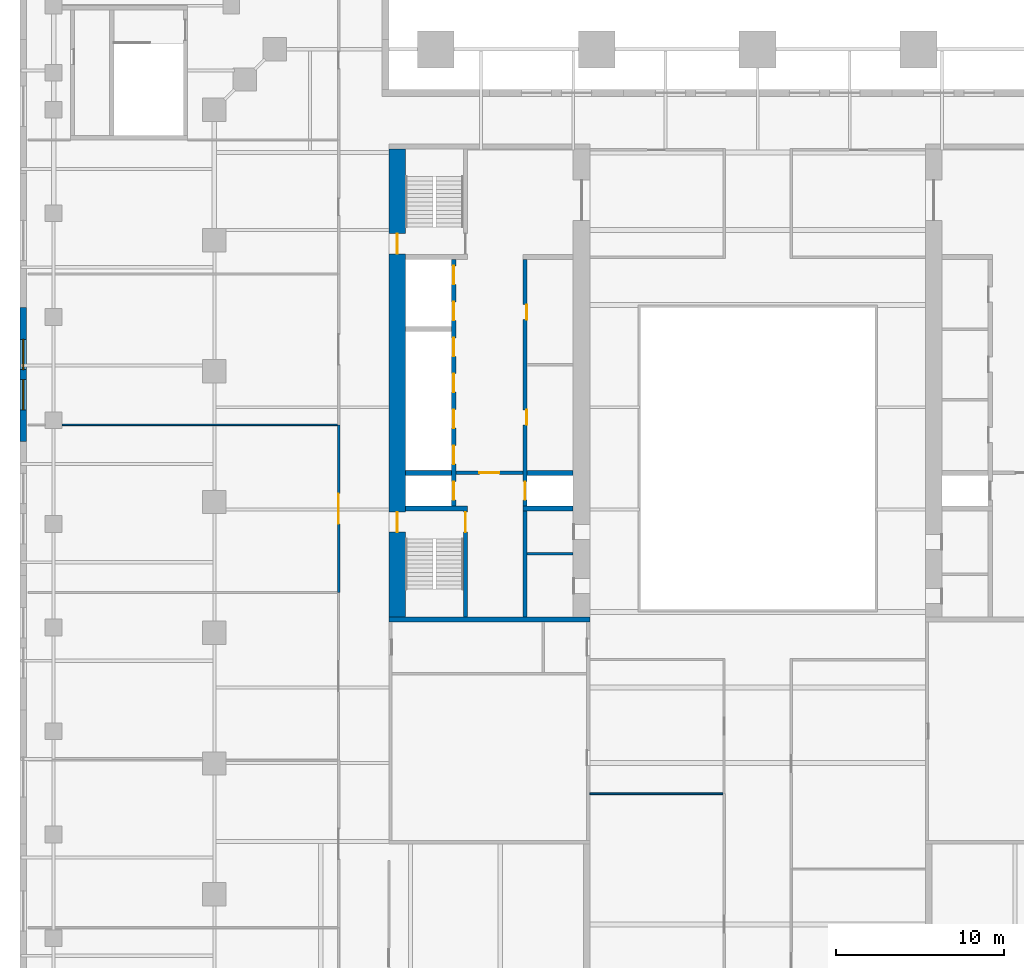
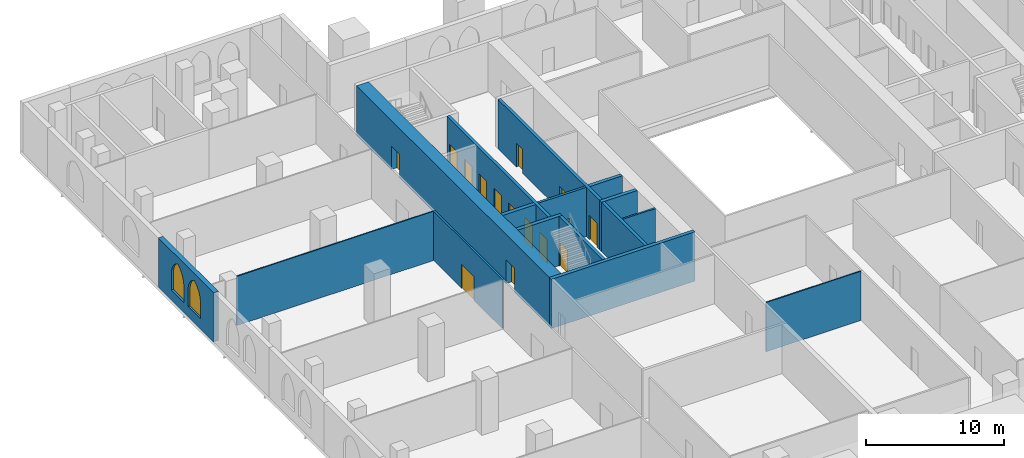
# One storey, part 10 of 18: 15 doors, 15 walls, 2 windows, 17 openings.
"""IFC4 building model written with IfcOpenShell, lengths in metres."""

from ifc_helpers import new_model, si_unit, direction, frame, frame_2d, origin, place, context, subcontext, project, spatial, polyline, rectangle, outline, extrude, material, layer, layer_set, type_object, element, fill, save


model = new_model("IFC4")

# Units and contexts
model_context = context("Model", 3, precision=1e-05, world=origin(), true_north=direction((0.0, 1.0)))
body_context = subcontext(model_context, "Body", "Model", "MODEL_VIEW")
ifc_project = project(units=[si_unit("LENGTHUNIT", "METRE"), si_unit("AREAUNIT", "SQUARE_METRE"), si_unit("VOLUMEUNIT", "CUBIC_METRE"), si_unit("PLANEANGLEUNIT", "RADIAN"), si_unit("MASSUNIT", "GRAM", prefix="KILO")], contexts=[model_context])

# Site, building, storey
site_placement = place(None, origin())
site = spatial("IfcSite", under=ifc_project, at=site_placement, CompositionType="ELEMENT")
building_placement = place(site_placement, origin())
building = spatial("IfcBuilding", under=site, at=building_placement, Name="Ogive Exchange Tower", CompositionType="ELEMENT")
storey_placement = place(building_placement, frame((0.0, 0.0, 28.800048828125)))
storey = spatial("IfcBuildingStorey", under=building, at=storey_placement, Name="L05", CompositionType="ELEMENT", Elevation=28.800048828125)

# Wall
ifc_material_1 = material(Name="Gypsum board partition")
ifc_layer_1 = layer(ifc_material_1, 0.14990234375)
ifc_layer_set_1 = layer_set([ifc_layer_1], Name="Core room partition 150 gypsum")
wall_type_1 = type_object("IfcWallType", Name="Core room partition 150 gypsum", PredefinedType="PARTITIONING", material=ifc_layer_set_1)
wall_1_placement = place(storey_placement, frame((-13.75, 1.300048828125, 0.0), z_axis=(0.0, 0.0, 1.0), x_axis=(1.0, 0.0, 0.0)))
element("IfcWall", 1, at=wall_1_placement, inside=storey, type_object=wall_type_1, Name="W south room partition", PredefinedType="PARTITIONING", context=body_context, shape_type="SweptSolid", body=[
    extrude(rectangle(XDim=2.75, YDim=0.14990234375, at=frame_2d((1.375, 0.0))), origin(), (0.0, 0.0, 1.0), 4.349853515625),
])

# Wall, opening, door
ifc_material_2 = material(Name="Fire partition EI 60 150")
ifc_layer_2 = layer(ifc_material_2, 0.14990234375)
ifc_layer_set_2 = layer_set([ifc_layer_2], Name="Fire partition EI 60 150")
wall_type_2 = type_object("IfcWallType", Name="Fire partition EI 60 150", PredefinedType="PARTITIONING", material=ifc_layer_set_2)
wall_2_placement = place(storey_placement, frame((-25.0, -1.0, 0.0), z_axis=(0.0, 0.0, 1.0), x_axis=(0.0, 1.0, 0.0)))
wall_2 = element("IfcWall", 2, at=wall_2_placement, inside=storey, type_object=wall_type_2, Name="L05-PWL-048", PredefinedType="PARTITIONING", context=body_context, shape_type="SweptSolid", body=[
    extrude(rectangle(XDim=10.0, YDim=0.14990234375, at=frame_2d((5.0, 0.0))), origin(), (0.0, 0.0, 1.0), 4.349853515625),
])
opening_1_placement = place(wall_2_placement, frame((4.10009765625, 0.0, 0.0)))
opening_1 = element("IfcOpeningElement", 3, at=opening_1_placement, cuts=wall_2, Name="Opening L05-I06", PredefinedType="OPENING", context=body_context, shape_type="SweptSolid", body=[
    extrude(rectangle(XDim=1.800048828125, YDim=2.10009765625, at=frame_2d((0.89990234375, 1.050048828125))), frame((0.0, 0.0849609375, 0.0), z_axis=(0.0, -1.0, 0.0), x_axis=(1.0, 0.0, 0.0)), (0.0, 0.0, 1.0), 0.169921875),
])
ifc_material_3 = material(Name="Fire door FD 30S 1800 x 2100")
door_type_1 = type_object("IfcDoorType", Name="Fire door FD 30S 1800 x 2100", OperationType="DOUBLE_DOOR_SINGLE_SWING", PredefinedType="DOOR", material=ifc_material_3)
door_1_placement = place(opening_1_placement, origin())
door_1 = element("IfcDoor", 4, at=door_1_placement, inside=storey, type_object=door_type_1, Name="L05-IDR-006", ObjectType="DT4", OperationType="SINGLE_SWING_RIGHT", OverallHeight=2.10009765625, OverallWidth=1.800048828125, PredefinedType="DOOR", context=body_context, shape_type="SweptSolid", body=[
    extrude(rectangle(XDim=1.800048828125, YDim=2.10009765625, at=frame_2d((0.89990234375, 1.050048828125))), frame((0.0, 0.02490234375, 0.0), z_axis=(0.0, -1.0, 0.0), x_axis=(1.0, 0.0, 0.0)), (0.0, 0.0, 1.0), 0.050048828125),
])
fill(opening_1, door_1)

# Wall, openings, windows
ifc_material_4 = material(Name="Precast concrete C40/50", Category="concrete")
ifc_layer_3 = layer(ifc_material_4, 0.39990234375)
ifc_layer_set_3 = layer_set([ifc_layer_3], Name="Limestone-faced wall 400")
wall_type_3 = type_object("IfcWallType", Name="Limestone-faced wall 400", PredefinedType="STANDARD", material=ifc_layer_set_3)
wall_3_placement = place(storey_placement, frame((-43.800048828125, 16.0, 0.0), z_axis=(0.0, 0.0, 1.0), x_axis=(0.0, -1.0, 0.0)))
wall_3 = element("IfcWall", 5, at=wall_3_placement, inside=storey, type_object=wall_type_3, Name="Podium wall W4", PredefinedType="STANDARD", context=body_context, shape_type="SweptSolid", body=[
    extrude(rectangle(XDim=8.0, YDim=0.39990234375, at=frame_2d((4.0, 0.0))), origin(), (0.0, 0.0, 1.0), 4.349853515625),
])
opening_2_placement = place(wall_3_placement, frame((1.89990234375, 0.0, 0.89990234375)))
opening_2 = element("IfcOpeningElement", 6, at=opening_2_placement, cuts=wall_3, Name="Opening WQ285", PredefinedType="OPENING", context=body_context, shape_type="SweptSolid", body=[
    extrude(outline(polyline([(0.0, 0.0), (1.800048828125, 0.0), (1.800048828125, 1.425048828125), (1.784423828125, 1.646484375), (1.73779296875, 1.86376953125), (1.661376953125, 2.072265625), (1.55615234375, 2.267822265625), (1.4248046875, 2.44677734375), (1.269287109375, 2.60546875), (1.09326171875, 2.74072265625), (0.89990234375, 2.85009765625), (0.706787109375, 2.74072265625), (0.53076171875, 2.60546875), (0.375244140625, 2.44677734375), (0.243896484375, 2.267822265625), (0.138671875, 2.072265625), (0.062255859375, 1.86376953125), (0.015625, 1.646484375), (0.0, 1.425048828125), (0.0, 0.0)])), frame((0.0, 0.2099609375, 0.0), z_axis=(0.0, -1.0, 0.0), x_axis=(1.0, 0.0, 0.0)), (0.0, 0.0, 1.0), 0.419921875),
])
opening_3_placement = place(wall_3_placement, frame((4.300048828125, 0.0, 0.89990234375)))
opening_3 = element("IfcOpeningElement", 7, at=opening_3_placement, cuts=wall_3, Name="Opening WQ285", PredefinedType="OPENING", context=body_context, shape_type="SweptSolid", body=[
    extrude(outline(polyline([(0.0, 0.0), (1.800048828125, 0.0), (1.800048828125, 1.425048828125), (1.784423828125, 1.646484375), (1.73779296875, 1.86376953125), (1.661376953125, 2.072265625), (1.55615234375, 2.267822265625), (1.4248046875, 2.44677734375), (1.269287109375, 2.60546875), (1.09326171875, 2.74072265625), (0.89990234375, 2.85009765625), (0.706787109375, 2.74072265625), (0.53076171875, 2.60546875), (0.375244140625, 2.44677734375), (0.243896484375, 2.267822265625), (0.138671875, 2.072265625), (0.062255859375, 1.86376953125), (0.015625, 1.646484375), (0.0, 1.425048828125), (0.0, 0.0)])), frame((0.0, 0.2099609375, 0.0), z_axis=(0.0, -1.0, 0.0), x_axis=(1.0, 0.0, 0.0)), (0.0, 0.0, 1.0), 0.419921875),
])
ifc_material_5 = material(Name="Clear glass in bronze frame", Category="glass")
window_type = type_object("IfcWindowType", Name="Podium paired lancet 1800 x 2850", PartitioningType="DOUBLE_PANEL_VERTICAL", PredefinedType="WINDOW", material=ifc_material_5)
window_1_placement = place(opening_2_placement, origin())
window_1 = element("IfcWindow", 8, at=window_1_placement, inside=storey, type_object=window_type, Name="Podium paired lancet W4.1", OverallHeight=2.85009765625, OverallWidth=1.800048828125, PartitioningType="DOUBLE_PANEL_VERTICAL", PredefinedType="WINDOW", context=body_context, shape_type="SweptSolid", body=[
    extrude(outline(polyline([(0.0, 0.0), (1.800048828125, 0.0), (1.800048828125, 1.425048828125), (1.784423828125, 1.646484375), (1.73779296875, 1.86376953125), (1.661376953125, 2.072265625), (1.55615234375, 2.267822265625), (1.4248046875, 2.44677734375), (1.269287109375, 2.60546875), (1.09326171875, 2.74072265625), (0.89990234375, 2.85009765625), (0.706787109375, 2.74072265625), (0.53076171875, 2.60546875), (0.375244140625, 2.44677734375), (0.243896484375, 2.267822265625), (0.138671875, 2.072265625), (0.062255859375, 1.86376953125), (0.015625, 1.646484375), (0.0, 1.425048828125), (0.0, 0.0)])), frame((0.0, 0.030029296875, 0.0), z_axis=(0.0, -1.0, 0.0), x_axis=(1.0, 0.0, 0.0)), (0.0, 0.0, 1.0), 0.06005859375),
])
fill(opening_2, window_1)
window_2_placement = place(opening_3_placement, origin())
window_2 = element("IfcWindow", 9, at=window_2_placement, inside=storey, type_object=window_type, Name="Podium paired lancet W4.2", OverallHeight=2.85009765625, OverallWidth=1.800048828125, PartitioningType="DOUBLE_PANEL_VERTICAL", PredefinedType="WINDOW", context=body_context, shape_type="SweptSolid", body=[
    extrude(outline(polyline([(0.0, 0.0), (1.800048828125, 0.0), (1.800048828125, 1.425048828125), (1.784423828125, 1.646484375), (1.73779296875, 1.86376953125), (1.661376953125, 2.072265625), (1.55615234375, 2.267822265625), (1.4248046875, 2.44677734375), (1.269287109375, 2.60546875), (1.09326171875, 2.74072265625), (0.89990234375, 2.85009765625), (0.706787109375, 2.74072265625), (0.53076171875, 2.60546875), (0.375244140625, 2.44677734375), (0.243896484375, 2.267822265625), (0.138671875, 2.072265625), (0.062255859375, 1.86376953125), (0.015625, 1.646484375), (0.0, 1.425048828125), (0.0, 0.0)])), frame((0.0, 0.030029296875, 0.0), z_axis=(0.0, -1.0, 0.0), x_axis=(1.0, 0.0, 0.0)), (0.0, 0.0, 1.0), 0.06005859375),
])
fill(opening_3, window_2)

# Walls
ifc_material_6 = material(Name="Partition 100 gypsum")
ifc_layer_4 = layer(ifc_material_6, 0.10009765625)
ifc_layer_set_4 = layer_set([ifc_layer_4], Name="Partition 100 gypsum")
wall_type_4 = type_object("IfcWallType", Name="Partition 100 gypsum", PredefinedType="PARTITIONING", material=ifc_layer_set_4)
wall_4_placement = place(storey_placement, frame((-10.0, -13.0, 0.0), z_axis=(0.0, 0.0, 1.0), x_axis=(1.0, 0.0, 0.0)))
element("IfcWall", 10, at=wall_4_placement, inside=storey, type_object=wall_type_4, Name="L05-PWL-019", PredefinedType="PARTITIONING", context=body_context, shape_type="SweptSolid", body=[
    extrude(rectangle(XDim=7.925048828125, YDim=0.10009765625, at=frame_2d((3.96240234375, 0.0))), origin(), (0.0, 0.0, 1.0), 4.349853515625),
])
wall_5_placement = place(storey_placement, frame((-41.5, 9.0, 0.0), z_axis=(0.0, 0.0, 1.0), x_axis=(1.0, 0.0, 0.0)))
element("IfcWall", 11, at=wall_5_placement, inside=storey, type_object=wall_type_4, Name="L05-PWL-029", PredefinedType="PARTITIONING", context=body_context, shape_type="SweptSolid", body=[
    extrude(rectangle(XDim=16.425048828125, YDim=0.10009765625, at=frame_2d((8.21240234375, 0.0))), origin(), (0.0, 0.0, 1.0), 4.349853515625),
])

# Wall, openings, doors
ifc_material_7 = material(Name="Concrete C70/85", Category="concrete")
ifc_layer_5 = layer(ifc_material_7, 1.0)
ifc_layer_set_5 = layer_set([ifc_layer_5], Name="RC core wall 1000 C70/85")
wall_type_5 = type_object("IfcWallType", Name="RC core wall 1000 C70/85", PredefinedType="SHEAR", material=ifc_layer_set_5)
wall_6_placement = place(storey_placement, frame((-21.5, -2.449951171875, 0.0), z_axis=(0.0, 0.0, 1.0), x_axis=(0.0, 1.0, 0.0)))
wall_6 = element("IfcWall", 12, at=wall_6_placement, inside=storey, type_object=wall_type_5, Name="W outer wall", PredefinedType="SHEAR", context=body_context, shape_type="SweptSolid", body=[
    extrude(rectangle(XDim=27.89990234375, YDim=1.0, at=frame_2d((13.949951171875, 0.0))), origin(), (0.0, 0.0, 1.0), 4.349853515625),
])
opening_4_placement = place(wall_6_placement, frame((5.050048828125, 0.0, 0.0)))
opening_4 = element("IfcOpeningElement", 13, at=opening_4_placement, cuts=wall_6, Name="Opening L05-C14", PredefinedType="OPENING", context=body_context, shape_type="SweptSolid", body=[
    extrude(rectangle(XDim=1.199951171875, YDim=2.10009765625, at=frame_2d((0.60009765625, 1.050048828125))), frame((0.0, 0.510009765625, 0.0), z_axis=(0.0, -1.0, 0.0), x_axis=(1.0, 0.0, 0.0)), (0.0, 0.0, 1.0), 1.02001953125),
])
opening_5_placement = place(wall_6_placement, frame((21.64990234375, 0.0, 0.0)))
opening_5 = element("IfcOpeningElement", 14, at=opening_5_placement, cuts=wall_6, Name="Opening L05-C16", PredefinedType="OPENING", context=body_context, shape_type="SweptSolid", body=[
    extrude(rectangle(XDim=1.199951171875, YDim=2.10009765625, at=frame_2d((0.60009765625, 1.050048828125))), frame((0.0, 0.510009765625, 0.0), z_axis=(0.0, -1.0, 0.0), x_axis=(1.0, 0.0, 0.0)), (0.0, 0.0, 1.0), 1.02001953125),
])
ifc_material_8 = material(Name="Steel fire door", Category="steel")
door_type_2 = type_object("IfcDoorType", Name="Stair door FD90 1200 x 2100", OperationType="NOTDEFINED", PredefinedType="DOOR", material=ifc_material_8)
door_2_placement = place(opening_4_placement, frame((1.199951171875, 0.0, 0.0), z_axis=(0.0, 0.0, 1.0), x_axis=(-1.0, 0.0, 0.0)))
door_2 = element("IfcDoor", 15, at=door_2_placement, inside=storey, type_object=door_type_2, Name="Stair door", ObjectType="CD5", OperationType="SINGLE_SWING_RIGHT", OverallHeight=2.10009765625, OverallWidth=1.199951171875, PredefinedType="DOOR", context=body_context, shape_type="SweptSolid", body=[
    extrude(rectangle(XDim=1.199951171875, YDim=2.10009765625, at=frame_2d((0.60009765625, 1.050048828125))), frame((0.0, 0.02490234375, 0.0), z_axis=(0.0, -1.0, 0.0), x_axis=(1.0, 0.0, 0.0)), (0.0, 0.0, 1.0), 0.050048828125),
])
fill(opening_4, door_2)
door_3_placement = place(opening_5_placement, frame((1.199951171875, 0.0, 0.0), z_axis=(0.0, 0.0, 1.0), x_axis=(-1.0, 0.0, 0.0)))
door_3 = element("IfcDoor", 16, at=door_3_placement, inside=storey, type_object=door_type_2, Name="Stair door", ObjectType="CD5", OperationType="SINGLE_SWING_LEFT", OverallHeight=2.10009765625, OverallWidth=1.199951171875, PredefinedType="DOOR", context=body_context, shape_type="SweptSolid", body=[
    extrude(rectangle(XDim=1.199951171875, YDim=2.10009765625, at=frame_2d((0.60009765625, 1.050048828125))), frame((0.0, 0.02490234375, 0.0), z_axis=(0.0, -1.0, 0.0), x_axis=(1.0, 0.0, 0.0)), (0.0, 0.0, 1.0), 0.050048828125),
])
fill(opening_5, door_3)

# Wall, opening, door
ifc_layer_6 = layer(ifc_material_7, 0.199951171875)
ifc_layer_set_6 = layer_set([ifc_layer_6], Name="RC core wall 200 C70/85")
wall_type_6 = type_object("IfcWallType", Name="RC core wall 200 C70/85", PredefinedType="SHEAR", material=ifc_layer_set_6)
wall_7_placement = place(storey_placement, frame((-18.0, 6.142822265625, 0.0), z_axis=(0.0, 0.0, 1.0), x_axis=(1.0, 0.0, 0.0)))
wall_7 = element("IfcWall", 17, at=wall_7_placement, inside=storey, type_object=wall_type_6, Name="W firefighting lobby wall", PredefinedType="SHEAR", context=body_context, shape_type="SweptSolid", body=[
    extrude(rectangle(XDim=4.0, YDim=0.199951171875, at=frame_2d((2.0, 0.0))), origin(), (0.0, 0.0, 1.0), 4.349853515625),
])
opening_6_placement = place(wall_7_placement, frame((1.39990234375, 0.0, 0.0)))
opening_6 = element("IfcOpeningElement", 18, at=opening_6_placement, cuts=wall_7, Name="Opening L05-C11", PredefinedType="OPENING", context=body_context, shape_type="SweptSolid", body=[
    extrude(rectangle(XDim=1.199951171875, YDim=2.10009765625, at=frame_2d((0.60009765625, 1.050048828125))), frame((0.0, 0.10986328125, 0.0), z_axis=(0.0, -1.0, 0.0), x_axis=(1.0, 0.0, 0.0)), (0.0, 0.0, 1.0), 0.219970703125),
])
door_type_3 = type_object("IfcDoorType", Name="Firefighting lobby door FD60 1200 x 2100", OperationType="NOTDEFINED", PredefinedType="DOOR", material=ifc_material_8)
door_4_placement = place(opening_6_placement, frame((1.199951171875, 0.0, 0.0), z_axis=(0.0, 0.0, 1.0), x_axis=(-1.0, 0.0, 0.0)))
door_4 = element("IfcDoor", 19, at=door_4_placement, inside=storey, type_object=door_type_3, Name="Firefighting lobby door", ObjectType="CD3", OperationType="SINGLE_SWING_LEFT", OverallHeight=2.10009765625, OverallWidth=1.199951171875, PredefinedType="DOOR", context=body_context, shape_type="SweptSolid", body=[
    extrude(rectangle(XDim=1.199951171875, YDim=2.10009765625, at=frame_2d((0.60009765625, 1.050048828125))), frame((0.0, 0.02490234375, 0.0), z_axis=(0.0, -1.0, 0.0), x_axis=(1.0, 0.0, 0.0)), (0.0, 0.0, 1.0), 0.050048828125),
])
fill(opening_6, door_4)

ifc_layer_7 = layer(ifc_material_7, 0.25)
ifc_layer_set_7 = layer_set([ifc_layer_7], Name="RC core wall 250 C70/85")
wall_type_7 = type_object("IfcWallType", Name="RC core wall 250 C70/85", PredefinedType="SHEAR", material=ifc_layer_set_7)
wall_8_placement = place(storey_placement, frame((-17.425048828125, -2.449951171875, 0.0), z_axis=(0.0, 0.0, 1.0), x_axis=(0.0, 1.0, 0.0)))
wall_8 = element("IfcWall", 20, at=wall_8_placement, inside=storey, type_object=wall_type_7, Name="W stair S front wall", PredefinedType="SHEAR", context=body_context, shape_type="SweptSolid", body=[
    extrude(rectangle(XDim=6.300048828125, YDim=0.25, at=frame_2d((3.14990234375, 0.0))), origin(), (0.0, 0.0, 1.0), 4.349853515625),
])
opening_7_placement = place(wall_8_placement, frame((5.050048828125, 0.0, 0.0)))
opening_7 = element("IfcOpeningElement", 21, at=opening_7_placement, cuts=wall_8, Name="Opening L05-C13", PredefinedType="OPENING", context=body_context, shape_type="SweptSolid", body=[
    extrude(rectangle(XDim=1.199951171875, YDim=2.10009765625, at=frame_2d((0.60009765625, 1.050048828125))), frame((0.0, 0.135009765625, 0.0), z_axis=(0.0, -1.0, 0.0), x_axis=(1.0, 0.0, 0.0)), (0.0, 0.0, 1.0), 0.27001953125),
])
door_5_placement = place(opening_7_placement, origin())
door_5 = element("IfcDoor", 22, at=door_5_placement, inside=storey, type_object=door_type_2, Name="Stair door", ObjectType="CD5", OperationType="SINGLE_SWING_LEFT", OverallHeight=2.10009765625, OverallWidth=1.199951171875, PredefinedType="DOOR", context=body_context, shape_type="SweptSolid", body=[
    extrude(rectangle(XDim=1.199951171875, YDim=2.10009765625, at=frame_2d((0.60009765625, 1.050048828125))), frame((0.0, 0.02490234375, 0.0), z_axis=(0.0, -1.0, 0.0), x_axis=(1.0, 0.0, 0.0)), (0.0, 0.0, 1.0), 0.050048828125),
])
fill(opening_7, door_5)

# Wall, openings, doors
wall_9_placement = place(storey_placement, frame((-18.125, 4.14990234375, 0.0), z_axis=(0.0, 0.0, 1.0), x_axis=(0.0, 1.0, 0.0)))
wall_9 = element("IfcWall", 23, at=wall_9_placement, inside=storey, type_object=wall_type_7, Name="W row A front wall", PredefinedType="SHEAR", context=body_context, shape_type="SweptSolid", body=[
    extrude(rectangle(XDim=14.7001953125, YDim=0.25, at=frame_2d((7.35009765625, 0.0))), origin(), (0.0, 0.0, 1.0), 4.349853515625),
])
opening_8_placement = place(wall_9_placement, frame((0.371337890625, 0.0, 0.0)))
opening_8 = element("IfcOpeningElement", 24, at=opening_8_placement, cuts=wall_9, Name="Opening L05-C01", PredefinedType="OPENING", context=body_context, shape_type="SweptSolid", body=[
    extrude(rectangle(XDim=1.10009765625, YDim=2.10009765625, at=frame_2d((0.550048828125, 1.050048828125))), frame((0.0, 0.135009765625, 0.0), z_axis=(0.0, -1.0, 0.0), x_axis=(1.0, 0.0, 0.0)), (0.0, 0.0, 1.0), 0.27001953125),
])
opening_9_placement = place(wall_9_placement, frame((2.514404296875, 0.0, 0.0)))
opening_9 = element("IfcOpeningElement", 25, at=opening_9_placement, cuts=wall_9, Name="Opening L05-C02", PredefinedType="OPENING", context=body_context, shape_type="SweptSolid", body=[
    extrude(rectangle(XDim=1.10009765625, YDim=2.10009765625, at=frame_2d((0.550048828125, 1.050048828125))), frame((0.0, 0.135009765625, 0.0), z_axis=(0.0, -1.0, 0.0), x_axis=(1.0, 0.0, 0.0)), (0.0, 0.0, 1.0), 0.27001953125),
])
opening_10_placement = place(wall_9_placement, frame((4.656982421875, 0.0, 0.0)))
opening_10 = element("IfcOpeningElement", 26, at=opening_10_placement, cuts=wall_9, Name="Opening L05-C03", PredefinedType="OPENING", context=body_context, shape_type="SweptSolid", body=[
    extrude(rectangle(XDim=1.10009765625, YDim=2.10009765625, at=frame_2d((0.550048828125, 1.050048828125))), frame((0.0, 0.135009765625, 0.0), z_axis=(0.0, -1.0, 0.0), x_axis=(1.0, 0.0, 0.0)), (0.0, 0.0, 1.0), 0.27001953125),
])
opening_11_placement = place(wall_9_placement, frame((6.800048828125, 0.0, 0.0)))
opening_11 = element("IfcOpeningElement", 27, at=opening_11_placement, cuts=wall_9, Name="Opening L05-C04", PredefinedType="OPENING", context=body_context, shape_type="SweptSolid", body=[
    extrude(rectangle(XDim=1.10009765625, YDim=2.10009765625, at=frame_2d((0.550048828125, 1.050048828125))), frame((0.0, 0.135009765625, 0.0), z_axis=(0.0, -1.0, 0.0), x_axis=(1.0, 0.0, 0.0)), (0.0, 0.0, 1.0), 0.27001953125),
])
opening_12_placement = place(wall_9_placement, frame((8.94287109375, 0.0, 0.0)))
opening_12 = element("IfcOpeningElement", 28, at=opening_12_placement, cuts=wall_9, Name="Opening L05-C05", PredefinedType="OPENING", context=body_context, shape_type="SweptSolid", body=[
    extrude(rectangle(XDim=1.10009765625, YDim=2.10009765625, at=frame_2d((0.550048828125, 1.050048828125))), frame((0.0, 0.135009765625, 0.0), z_axis=(0.0, -1.0, 0.0), x_axis=(1.0, 0.0, 0.0)), (0.0, 0.0, 1.0), 0.27001953125),
])
opening_13_placement = place(wall_9_placement, frame((11.085693359375, 0.0, 0.0)))
opening_13 = element("IfcOpeningElement", 29, at=opening_13_placement, cuts=wall_9, Name="Opening L05-C06", PredefinedType="OPENING", context=body_context, shape_type="SweptSolid", body=[
    extrude(rectangle(XDim=1.10009765625, YDim=2.10009765625, at=frame_2d((0.550048828125, 1.050048828125))), frame((0.0, 0.135009765625, 0.0), z_axis=(0.0, -1.0, 0.0), x_axis=(1.0, 0.0, 0.0)), (0.0, 0.0, 1.0), 0.27001953125),
])
opening_14_placement = place(wall_9_placement, frame((13.228515625, 0.0, 0.0)))
opening_14 = element("IfcOpeningElement", 30, at=opening_14_placement, cuts=wall_9, Name="Opening L05-C07", PredefinedType="OPENING", context=body_context, shape_type="SweptSolid", body=[
    extrude(rectangle(XDim=1.10009765625, YDim=2.10009765625, at=frame_2d((0.550048828125, 1.050048828125))), frame((0.0, 0.135009765625, 0.0), z_axis=(0.0, -1.0, 0.0), x_axis=(1.0, 0.0, 0.0)), (0.0, 0.0, 1.0), 0.27001953125),
])
ifc_material_9 = material(Name="Stainless steel", Category="steel")
door_type_4 = type_object("IfcDoorType", Name="Lift landing door FD90 1100 x 2100", OperationType="SLIDING_TO_LEFT", PredefinedType="DOOR", material=ifc_material_9)
door_6_placement = place(opening_8_placement, origin())
door_6 = element("IfcDoor", 31, at=door_6_placement, inside=storey, type_object=door_type_4, Name="Lift landing door FF1", ObjectType="LD", OperationType="SLIDING_TO_LEFT", OverallHeight=2.10009765625, OverallWidth=1.10009765625, PredefinedType="DOOR", context=body_context, shape_type="SweptSolid", body=[
    extrude(rectangle(XDim=1.10009765625, YDim=2.10009765625, at=frame_2d((0.550048828125, 1.050048828125))), frame((0.0, 0.02490234375, 0.0), z_axis=(0.0, -1.0, 0.0), x_axis=(1.0, 0.0, 0.0)), (0.0, 0.0, 1.0), 0.050048828125),
])
fill(opening_8, door_6)
door_7_placement = place(opening_9_placement, origin())
door_7 = element("IfcDoor", 32, at=door_7_placement, inside=storey, type_object=door_type_4, Name="Lift landing door W-L1", ObjectType="LD", OperationType="SLIDING_TO_LEFT", OverallHeight=2.10009765625, OverallWidth=1.10009765625, PredefinedType="DOOR", context=body_context, shape_type="SweptSolid", body=[
    extrude(rectangle(XDim=1.10009765625, YDim=2.10009765625, at=frame_2d((0.550048828125, 1.050048828125))), frame((0.0, 0.02490234375, 0.0), z_axis=(0.0, -1.0, 0.0), x_axis=(1.0, 0.0, 0.0)), (0.0, 0.0, 1.0), 0.050048828125),
])
fill(opening_9, door_7)
door_8_placement = place(opening_10_placement, origin())
door_8 = element("IfcDoor", 33, at=door_8_placement, inside=storey, type_object=door_type_4, Name="Lift landing door W-L2", ObjectType="LD", OperationType="SLIDING_TO_LEFT", OverallHeight=2.10009765625, OverallWidth=1.10009765625, PredefinedType="DOOR", context=body_context, shape_type="SweptSolid", body=[
    extrude(rectangle(XDim=1.10009765625, YDim=2.10009765625, at=frame_2d((0.550048828125, 1.050048828125))), frame((0.0, 0.02490234375, 0.0), z_axis=(0.0, -1.0, 0.0), x_axis=(1.0, 0.0, 0.0)), (0.0, 0.0, 1.0), 0.050048828125),
])
fill(opening_10, door_8)
door_9_placement = place(opening_11_placement, origin())
door_9 = element("IfcDoor", 34, at=door_9_placement, inside=storey, type_object=door_type_4, Name="Lift landing door W-L3", ObjectType="LD", OperationType="SLIDING_TO_LEFT", OverallHeight=2.10009765625, OverallWidth=1.10009765625, PredefinedType="DOOR", context=body_context, shape_type="SweptSolid", body=[
    extrude(rectangle(XDim=1.10009765625, YDim=2.10009765625, at=frame_2d((0.550048828125, 1.050048828125))), frame((0.0, 0.02490234375, 0.0), z_axis=(0.0, -1.0, 0.0), x_axis=(1.0, 0.0, 0.0)), (0.0, 0.0, 1.0), 0.050048828125),
])
fill(opening_11, door_9)
door_10_placement = place(opening_12_placement, origin())
door_10 = element("IfcDoor", 35, at=door_10_placement, inside=storey, type_object=door_type_4, Name="Lift landing door W-L4", ObjectType="LD", OperationType="SLIDING_TO_LEFT", OverallHeight=2.10009765625, OverallWidth=1.10009765625, PredefinedType="DOOR", context=body_context, shape_type="SweptSolid", body=[
    extrude(rectangle(XDim=1.10009765625, YDim=2.10009765625, at=frame_2d((0.550048828125, 1.050048828125))), frame((0.0, 0.02490234375, 0.0), z_axis=(0.0, -1.0, 0.0), x_axis=(1.0, 0.0, 0.0)), (0.0, 0.0, 1.0), 0.050048828125),
])
fill(opening_12, door_10)
door_11_placement = place(opening_13_placement, origin())
door_11 = element("IfcDoor", 36, at=door_11_placement, inside=storey, type_object=door_type_4, Name="Lift landing door W-SH1", ObjectType="LD", OperationType="SLIDING_TO_LEFT", OverallHeight=2.10009765625, OverallWidth=1.10009765625, PredefinedType="DOOR", context=body_context, shape_type="SweptSolid", body=[
    extrude(rectangle(XDim=1.10009765625, YDim=2.10009765625, at=frame_2d((0.550048828125, 1.050048828125))), frame((0.0, 0.02490234375, 0.0), z_axis=(0.0, -1.0, 0.0), x_axis=(1.0, 0.0, 0.0)), (0.0, 0.0, 1.0), 0.050048828125),
])
fill(opening_13, door_11)
door_12_placement = place(opening_14_placement, origin())
door_12 = element("IfcDoor", 37, at=door_12_placement, inside=storey, type_object=door_type_4, Name="Lift landing door W-SH2", ObjectType="LD", OperationType="SLIDING_TO_LEFT", OverallHeight=2.10009765625, OverallWidth=1.10009765625, PredefinedType="DOOR", context=body_context, shape_type="SweptSolid", body=[
    extrude(rectangle(XDim=1.10009765625, YDim=2.10009765625, at=frame_2d((0.550048828125, 1.050048828125))), frame((0.0, 0.02490234375, 0.0), z_axis=(0.0, -1.0, 0.0), x_axis=(1.0, 0.0, 0.0)), (0.0, 0.0, 1.0), 0.050048828125),
])
fill(opening_14, door_12)

wall_10_placement = place(storey_placement, frame((-13.875, -2.449951171875, 0.0), z_axis=(0.0, 0.0, 1.0), x_axis=(0.0, 1.0, 0.0)))
wall_10 = element("IfcWall", 38, at=wall_10_placement, inside=storey, type_object=wall_type_7, Name="W row B front wall", PredefinedType="SHEAR", context=body_context, shape_type="SweptSolid", body=[
    extrude(rectangle(XDim=21.300048828125, YDim=0.25, at=frame_2d((10.64990234375, 0.0))), origin(), (0.0, 0.0, 1.0), 4.349853515625),
])
opening_15_placement = place(wall_10_placement, frame((11.4462890625, 0.0, 0.0)))
opening_15 = element("IfcOpeningElement", 39, at=opening_15_placement, cuts=wall_10, Name="Opening L05-C08", PredefinedType="OPENING", context=body_context, shape_type="SweptSolid", body=[
    extrude(rectangle(XDim=0.89990234375, YDim=2.10009765625, at=frame_2d((0.449951171875, 1.050048828125))), frame((0.0, 0.135009765625, 0.0), z_axis=(0.0, -1.0, 0.0), x_axis=(1.0, 0.0, 0.0)), (0.0, 0.0, 1.0), 0.27001953125),
])
opening_16_placement = place(wall_10_placement, frame((17.72509765625, 0.0, 0.0)))
opening_16 = element("IfcOpeningElement", 40, at=opening_16_placement, cuts=wall_10, Name="Opening L05-C09", PredefinedType="OPENING", context=body_context, shape_type="SweptSolid", body=[
    extrude(rectangle(XDim=0.89990234375, YDim=2.10009765625, at=frame_2d((0.449951171875, 1.050048828125))), frame((0.0, 0.135009765625, 0.0), z_axis=(0.0, -1.0, 0.0), x_axis=(1.0, 0.0, 0.0)), (0.0, 0.0, 1.0), 0.27001953125),
])
opening_17_placement = place(wall_10_placement, frame((6.971435546875, 0.0, 0.0)))
opening_17 = element("IfcOpeningElement", 41, at=opening_17_placement, cuts=wall_10, Name="Opening L05-C10", PredefinedType="OPENING", context=body_context, shape_type="SweptSolid", body=[
    extrude(rectangle(XDim=1.10009765625, YDim=2.10009765625, at=frame_2d((0.550048828125, 1.050048828125))), frame((0.0, 0.135009765625, 0.0), z_axis=(0.0, -1.0, 0.0), x_axis=(1.0, 0.0, 0.0)), (0.0, 0.0, 1.0), 0.27001953125),
])
ifc_material_10 = material(Name="Timber fire door", Category="wood")
door_type_5 = type_object("IfcDoorType", Name="Core room door FD30S 900 x 2100", OperationType="NOTDEFINED", PredefinedType="DOOR", material=ifc_material_10)
door_13_placement = place(opening_16_placement, frame((0.89990234375, -0.2001953125, 0.0), z_axis=(0.0, 0.0, 1.0), x_axis=(-1.0, 0.0, 0.0)))
door_13 = element("IfcDoor", 42, at=door_13_placement, inside=storey, type_object=door_type_5, Name="Core room door", ObjectType="CD6", OperationType="SINGLE_SWING_RIGHT", OverallHeight=2.10009765625, OverallWidth=0.89990234375, PredefinedType="DOOR", context=body_context, shape_type="SweptSolid", body=[
    extrude(rectangle(XDim=0.89990234375, YDim=2.10009765625, at=frame_2d((0.449951171875, 1.050048828125))), frame((0.0, -0.0751953125, 0.0), z_axis=(0.0, -1.0, 0.0), x_axis=(1.0, 0.0, 0.0)), (0.0, 0.0, 1.0), 0.050048828125),
])
fill(opening_16, door_13)
door_14_placement = place(opening_17_placement, origin())
door_14 = element("IfcDoor", 43, at=door_14_placement, inside=storey, type_object=door_type_4, Name="Lift landing door SV1", ObjectType="LD", OperationType="SLIDING_TO_LEFT", OverallHeight=2.10009765625, OverallWidth=1.10009765625, PredefinedType="DOOR", context=body_context, shape_type="SweptSolid", body=[
    extrude(rectangle(XDim=1.10009765625, YDim=2.10009765625, at=frame_2d((0.550048828125, 1.050048828125))), frame((0.0, 0.02490234375, 0.0), z_axis=(0.0, -1.0, 0.0), x_axis=(1.0, 0.0, 0.0)), (0.0, 0.0, 1.0), 0.050048828125),
])
fill(opening_17, door_14)
door_type_6 = type_object("IfcDoorType", Name="Riser door FD60 900 x 2100", OperationType="NOTDEFINED", PredefinedType="DOOR", material=ifc_material_8)
door_15_placement = place(opening_15_placement, frame((0.89990234375, -0.2001953125, 0.0), z_axis=(0.0, 0.0, 1.0), x_axis=(-1.0, 0.0, 0.0)))
door_15 = element("IfcDoor", 44, at=door_15_placement, inside=storey, type_object=door_type_6, Name="Riser door", ObjectType="CD2", OperationType="SINGLE_SWING_RIGHT", OverallHeight=2.10009765625, OverallWidth=0.89990234375, PredefinedType="DOOR", context=body_context, shape_type="SweptSolid", body=[
    extrude(rectangle(XDim=0.89990234375, YDim=2.10009765625, at=frame_2d((0.449951171875, 1.050048828125))), frame((0.0, -0.0751953125, 0.0), z_axis=(0.0, -1.0, 0.0), x_axis=(1.0, 0.0, 0.0)), (0.0, 0.0, 1.0), 0.050048828125),
])
fill(opening_15, door_15)

# Walls
ifc_layer_8 = layer(ifc_material_7, 0.300048828125)
ifc_layer_set_8 = layer_set([ifc_layer_8], Name="RC core wall 300 C70/85")
wall_type_8 = type_object("IfcWallType", Name="RC core wall 300 C70/85", PredefinedType="SHEAR", material=ifc_layer_set_8)
wall_11_placement = place(storey_placement, frame((-22.0, -2.60009765625, 0.0), z_axis=(0.0, 0.0, 1.0), x_axis=(1.0, 0.0, 0.0)))
element("IfcWall", 45, at=wall_11_placement, inside=storey, type_object=wall_type_8, Name="W south end wall", PredefinedType="SHEAR", context=body_context, shape_type="SweptSolid", body=[
    extrude(rectangle(XDim=12.0, YDim=0.300048828125, at=frame_2d((6.0, 0.0))), origin(), (0.0, 0.0, 1.0), 4.349853515625),
])
wall_12_placement = place(storey_placement, frame((-21.0, 4.0, 0.0), z_axis=(0.0, 0.0, 1.0), x_axis=(1.0, 0.0, 0.0)))
element("IfcWall", 46, at=wall_12_placement, inside=storey, type_object=wall_type_8, Name="W stair S north wall", PredefinedType="SHEAR", context=body_context, shape_type="SweptSolid", body=[
    extrude(rectangle(XDim=3.699951171875, YDim=0.300048828125, at=frame_2d((1.85009765625, 0.0))), origin(), (0.0, 0.0, 1.0), 4.349853515625),
])
wall_13_placement = place(storey_placement, frame((-21.0, 6.142822265625, 0.0), z_axis=(0.0, 0.0, 1.0), x_axis=(1.0, 0.0, 0.0)))
element("IfcWall", 47, at=wall_13_placement, inside=storey, type_object=wall_type_8, Name="W row A divider 1", PredefinedType="SHEAR", context=body_context, shape_type="SweptSolid", body=[
    extrude(rectangle(XDim=2.75, YDim=0.300048828125, at=frame_2d((1.375, 0.0))), origin(), (0.0, 0.0, 1.0), 4.349853515625),
])
wall_14_placement = place(storey_placement, frame((-14.0, 4.0, 0.0), z_axis=(0.0, 0.0, 1.0), x_axis=(1.0, 0.0, 0.0)))
element("IfcWall", 48, at=wall_14_placement, inside=storey, type_object=wall_type_8, Name="W row B divider 0", PredefinedType="SHEAR", context=body_context, shape_type="SweptSolid", body=[
    extrude(rectangle(XDim=3.0, YDim=0.300048828125, at=frame_2d((1.5, 0.0))), origin(), (0.0, 0.0, 1.0), 4.349853515625),
])
wall_15_placement = place(storey_placement, frame((-13.75, 6.142822265625, 0.0), z_axis=(0.0, 0.0, 1.0), x_axis=(1.0, 0.0, 0.0)))
element("IfcWall", 49, at=wall_15_placement, inside=storey, type_object=wall_type_8, Name="W row B divider 1", PredefinedType="SHEAR", context=body_context, shape_type="SweptSolid", body=[
    extrude(rectangle(XDim=2.75, YDim=0.300048828125, at=frame_2d((1.375, 0.0))), origin(), (0.0, 0.0, 1.0), 4.349853515625),
])

save(model, "model.ifc")
